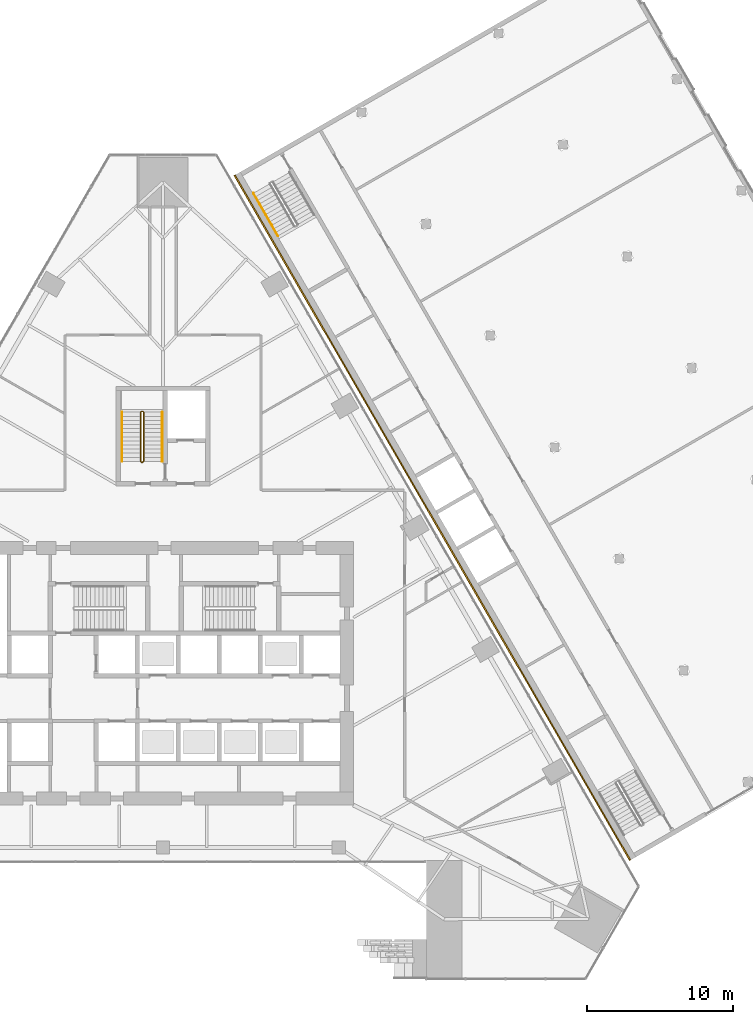
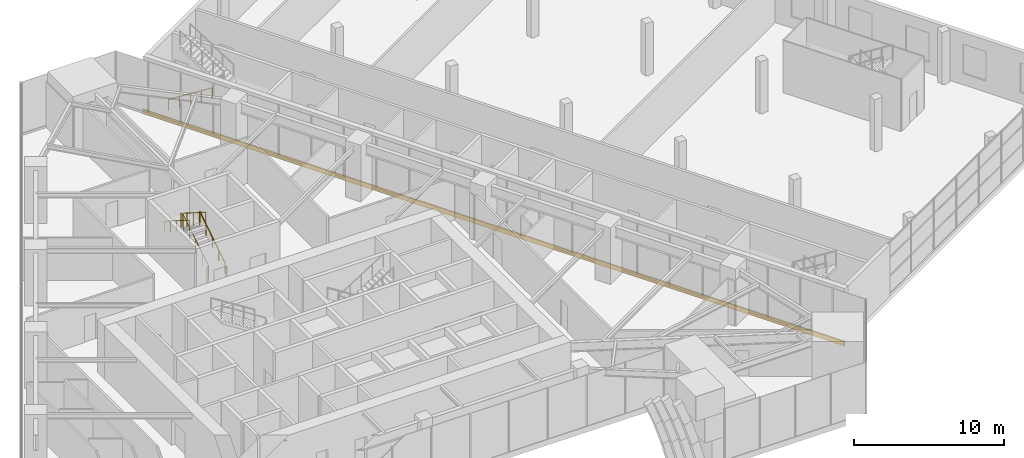
# One storey, part 25 of 29: 4 railings, 1 covering.
"""IFC4 building model written with IfcOpenShell, lengths in metres."""

from ifc_helpers import new_model, si_unit, direction, frame, origin, origin_2d, place, context, subcontext, project, spatial, rectangle, circle, extrude, material, layer, layer_set, type_object, element, save


model = new_model("IFC4")

# Units and contexts
model_context = context("Model", 3, precision=1e-05, world=origin(), true_north=direction((0.0, 1.0)))
body_context = subcontext(model_context, "Body", "Model", "MODEL_VIEW")
ifc_project = project(units=[si_unit("LENGTHUNIT", "METRE"), si_unit("AREAUNIT", "SQUARE_METRE"), si_unit("VOLUMEUNIT", "CUBIC_METRE"), si_unit("PLANEANGLEUNIT", "RADIAN"), si_unit("MASSUNIT", "GRAM", prefix="KILO")], contexts=[model_context])

# Site, building, storey
site_placement = place(None, origin())
site = spatial("IfcSite", under=ifc_project, at=site_placement, CompositionType="ELEMENT")
building_placement = place(site_placement, origin())
building = spatial("IfcBuilding", under=site, at=building_placement, Name="Firuza Gate Tower and Library", CompositionType="ELEMENT")
storey_placement = place(building_placement, frame((0.0, 0.0, 8.0)))
storey = spatial("IfcBuildingStorey", under=building, at=storey_placement, Name="L01", CompositionType="ELEMENT", Elevation=8.0)

# Railing
ifc_material_1 = material(Name="Steel S355", Category="steel")
railing_type_1 = type_object("IfcRailingType", Name="LIB HANDRAIL", PredefinedType="HANDRAIL", material=ifc_material_1)
railing_1_placement = place(storey_placement, frame((81.172607421875, 107.77783203125, 0.177001953125)))
element("IfcRailing", 1, at=railing_1_placement, inside=storey, type_object=railing_type_1, Name="L01 LIB-ST-A stair handrail 1", PredefinedType="HANDRAIL", context=body_context, shape_type="SweptSolid", body=[
    extrude(circle(Radius=0.02392578125, at=origin_2d()), frame((0.0, 0.0, 0.8759765625), z_axis=(0.422722088385, -0.732116328315, 0.534145783289), x_axis=(0.866007717299, 0.500030632641, 0.0)), (0.0, 0.0, 1.0), 3.974609375),
    extrude(circle(Radius=0.02099609375, at=origin_2d()), origin(), (0.0, 0.0, 1.0), 0.851806640625),
    extrude(circle(Radius=0.02099609375, at=origin_2d()), frame((0.419921875, -0.7275390625, 0.53076171875)), (0.0, 0.0, 1.0), 0.851806640625),
    extrude(circle(Radius=0.02099609375, at=origin_2d()), frame((0.840087890625, -1.455078125, 1.0615234375)), (0.0, 0.0, 1.0), 0.851806640625),
    extrude(circle(Radius=0.02099609375, at=origin_2d()), frame((1.26025390625, -2.182373046875, 1.59228515625)), (0.0, 0.0, 1.0), 0.851806640625),
    extrude(circle(Radius=0.02099609375, at=origin_2d()), frame((1.68017578125, -2.909912109375, 2.123046875)), (0.0, 0.0, 1.0), 0.851806640625),
])

# Covering
ifc_material_2 = material(Name="Stainless steel 316", Category="steel")
ifc_layer = layer(ifc_material_2, 0.10009765625)
ifc_layer_set = layer_set([ifc_layer], Name="LIB JOINT COVER")
covering_type = type_object("IfcCoveringType", Name="LIB JOINT COVER", PredefinedType="MOLDING", material=ifc_layer_set)
covering_placement = place(storey_placement, frame((93.3896484375, 85.6171875, -0.35986328125), z_axis=(0.0, 0.0, 1.0), x_axis=(-0.5, 0.866025403784, 0.0)))
element("IfcCovering", 2, at=covering_placement, inside=storey, type_object=covering_type, Name="Movement joint cover L01", PredefinedType="MOLDING", context=body_context, shape_type="SweptSolid", body=[
    extrude(rectangle(XDim=54.0, YDim=0.10009765625, at=origin_2d()), origin(), (0.0, 0.0, 1.0), 0.360107421875),
])

# Railings
ifc_material_3 = material(Name="Steel S355", Category="steel")
railing_type_2 = type_object("IfcRailingType", Name="Stair guard 1100", PredefinedType="GUARDRAIL", material=ifc_material_3)
railing_2_placement = place(storey_placement, frame((73.6298828125, 89.419921875, 0.0)))
element("IfcRailing", 3, at=railing_2_placement, inside=storey, type_object=railing_type_2, Name="L01 ST3 stair guard 1", PredefinedType="GUARDRAIL", context=body_context, shape_type="SweptSolid", body=[
    extrude(circle(Radius=0.02392578125, at=origin_2d()), frame((0.0, 0.0, 1.076171875), z_axis=(-1.0, 0.0, 0.0), x_axis=(0.0, -1.0, 0.0)), (0.0, 0.0, 1.0), 0.099853515625),
    extrude(circle(Radius=0.02392578125, at=origin_2d()), frame((-0.099853515625, 0.0, 1.076171875), z_axis=(0.631733381593, 0.210920754441, 0.74593925351), x_axis=(-0.316691178788, 0.948528701346, 0.0)), (0.0, 0.0, 1.0), 0.2373046875),
    extrude(circle(Radius=0.02392578125, at=origin_2d()), frame((0.050048828125, 0.050048828125, 1.2529296875), z_axis=(0.0, 0.845389635667, 0.534150132366), x_axis=(-1.0, 0.0, 0.0)), (0.0, 0.0, 1.0), 3.974609375),
    extrude(circle(Radius=0.02392578125, at=origin_2d()), frame((0.050048828125, 3.41015625, 3.3759765625), z_axis=(-0.708833529934, 0.705375805398, 0.0), x_axis=(-0.705375805398, -0.708833529934, 0.0)), (0.0, 0.0, 1.0), 0.070556640625),
    extrude(circle(Radius=0.02392578125, at=origin_2d()), frame((0.0, 3.4599609375, 3.3759765625), z_axis=(-1.0, 0.0, 0.0), x_axis=(0.0, -1.0, 0.0)), (0.0, 0.0, 1.0), 0.099853515625),
    extrude(circle(Radius=0.02392578125, at=origin_2d()), frame((-0.099853515625, 3.4599609375, 3.3759765625), z_axis=(-0.262946527422, -0.261663861435, 0.928650174897), x_axis=(0.705375805398, -0.708833529934, 0.0)), (0.0, 0.0, 1.0), 0.1904296875),
    extrude(circle(Radius=0.02392578125, at=origin_2d()), frame((-0.14990234375, 3.41015625, 3.552734375), z_axis=(0.0, -0.845361898145, 0.534194029511), x_axis=(1.0, 0.0, 0.0)), (0.0, 0.0, 1.0), 3.974853515625),
    extrude(circle(Radius=0.02099609375, at=origin_2d()), origin(), (0.0, 0.0, 1.0), 1.052001953125),
    extrude(circle(Radius=0.02099609375, at=origin_2d()), frame((-0.099853515625, 0.0, 0.0)), (0.0, 0.0, 1.0), 1.052001953125),
    extrude(circle(Radius=0.02099609375, at=origin_2d()), frame((0.050048828125, 0.050048828125, 0.177001953125)), (0.0, 0.0, 1.0), 1.052001953125),
    extrude(circle(Radius=0.02099609375, at=origin_2d()), frame((0.050048828125, 0.89013671875, 0.707763671875)), (0.0, 0.0, 1.0), 1.052001953125),
    extrude(circle(Radius=0.02099609375, at=origin_2d()), frame((0.050048828125, 1.72998046875, 1.238525390625)), (0.0, 0.0, 1.0), 1.052001953125),
    extrude(circle(Radius=0.02099609375, at=origin_2d()), frame((0.050048828125, 2.570068359375, 1.769287109375)), (0.0, 0.0, 1.0), 1.052001953125),
    extrude(circle(Radius=0.02099609375, at=origin_2d()), frame((0.050048828125, 3.41015625, 2.300048828125)), (0.0, 0.0, 1.0), 1.052001953125),
    extrude(circle(Radius=0.02099609375, at=origin_2d()), frame((0.0, 3.4599609375, 2.300048828125)), (0.0, 0.0, 1.0), 1.052001953125),
    extrude(circle(Radius=0.02099609375, at=origin_2d()), frame((-0.099853515625, 3.4599609375, 2.300048828125)), (0.0, 0.0, 1.0), 1.052001953125),
    extrude(circle(Radius=0.02099609375, at=origin_2d()), frame((-0.14990234375, 3.41015625, 2.476806640625)), (0.0, 0.0, 1.0), 1.052001953125),
    extrude(circle(Radius=0.02099609375, at=origin_2d()), frame((-0.14990234375, 2.570068359375, 3.007568359375)), (0.0, 0.0, 1.0), 1.052001953125),
    extrude(circle(Radius=0.02099609375, at=origin_2d()), frame((-0.14990234375, 1.72998046875, 3.53857421875)), (0.0, 0.0, 1.0), 1.052001953125),
    extrude(circle(Radius=0.02099609375, at=origin_2d()), frame((-0.14990234375, 0.89013671875, 4.0693359375)), (0.0, 0.0, 1.0), 1.052001953125),
    extrude(circle(Radius=0.02099609375, at=origin_2d()), frame((-0.14990234375, 0.050048828125, 4.60009765625)), (0.0, 0.0, 1.0), 1.052001953125),
])
ifc_material_4 = material(Name="Steel S355", Category="steel")
railing_type_3 = type_object("IfcRailingType", Name="Stair handrail 900", PredefinedType="HANDRAIL", material=ifc_material_4)
railing_3_placement = place(storey_placement, frame((74.949951171875, 89.469970703125, 0.177001953125)))
element("IfcRailing", 4, at=railing_3_placement, inside=storey, type_object=railing_type_3, Name="L01 ST3 stair handrail 1", PredefinedType="HANDRAIL", context=body_context, shape_type="SweptSolid", body=[
    extrude(circle(Radius=0.02392578125, at=origin_2d()), frame((0.0, 0.0, 0.8759765625), z_axis=(0.0, 0.845389635667, 0.534150132366), x_axis=(-1.0, 0.0, 0.0)), (0.0, 0.0, 1.0), 3.974609375),
    extrude(circle(Radius=0.02099609375, at=origin_2d()), origin(), (0.0, 0.0, 1.0), 0.851806640625),
    extrude(circle(Radius=0.02099609375, at=origin_2d()), frame((0.0, 0.840087890625, 0.53076171875)), (0.0, 0.0, 1.0), 0.851806640625),
    extrude(circle(Radius=0.02099609375, at=origin_2d()), frame((0.0, 1.68017578125, 1.0615234375)), (0.0, 0.0, 1.0), 0.851806640625),
    extrude(circle(Radius=0.02099609375, at=origin_2d()), frame((0.0, 2.52001953125, 1.59228515625)), (0.0, 0.0, 1.0), 0.851806640625),
    extrude(circle(Radius=0.02099609375, at=origin_2d()), frame((0.0, 3.360107421875, 2.123046875)), (0.0, 0.0, 1.0), 0.851806640625),
])
railing_4_placement = place(storey_placement, frame((72.2099609375, 92.830078125, 2.476806640625)))
element("IfcRailing", 5, at=railing_4_placement, inside=storey, type_object=railing_type_3, Name="L01 ST3 stair handrail 2", PredefinedType="HANDRAIL", context=body_context, shape_type="SweptSolid", body=[
    extrude(circle(Radius=0.02392578125, at=origin_2d()), frame((0.0, 0.0, 0.8759765625), z_axis=(0.0, -0.845361898145, 0.534194029511), x_axis=(1.0, 0.0, 0.0)), (0.0, 0.0, 1.0), 3.974853515625),
    extrude(circle(Radius=0.02099609375, at=origin_2d()), origin(), (0.0, 0.0, 1.0), 0.851806640625),
    extrude(circle(Radius=0.02099609375, at=origin_2d()), frame((0.0, -0.840087890625, 0.53076171875)), (0.0, 0.0, 1.0), 0.851806640625),
    extrude(circle(Radius=0.02099609375, at=origin_2d()), frame((0.0, -1.68017578125, 1.0615234375)), (0.0, 0.0, 1.0), 0.851806640625),
    extrude(circle(Radius=0.02099609375, at=origin_2d()), frame((0.0, -2.52001953125, 1.592529296875)), (0.0, 0.0, 1.0), 0.851806640625),
    extrude(circle(Radius=0.02099609375, at=origin_2d()), frame((0.0, -3.360107421875, 2.123291015625)), (0.0, 0.0, 1.0), 0.851806640625),
])

save(model, "model.ifc")
